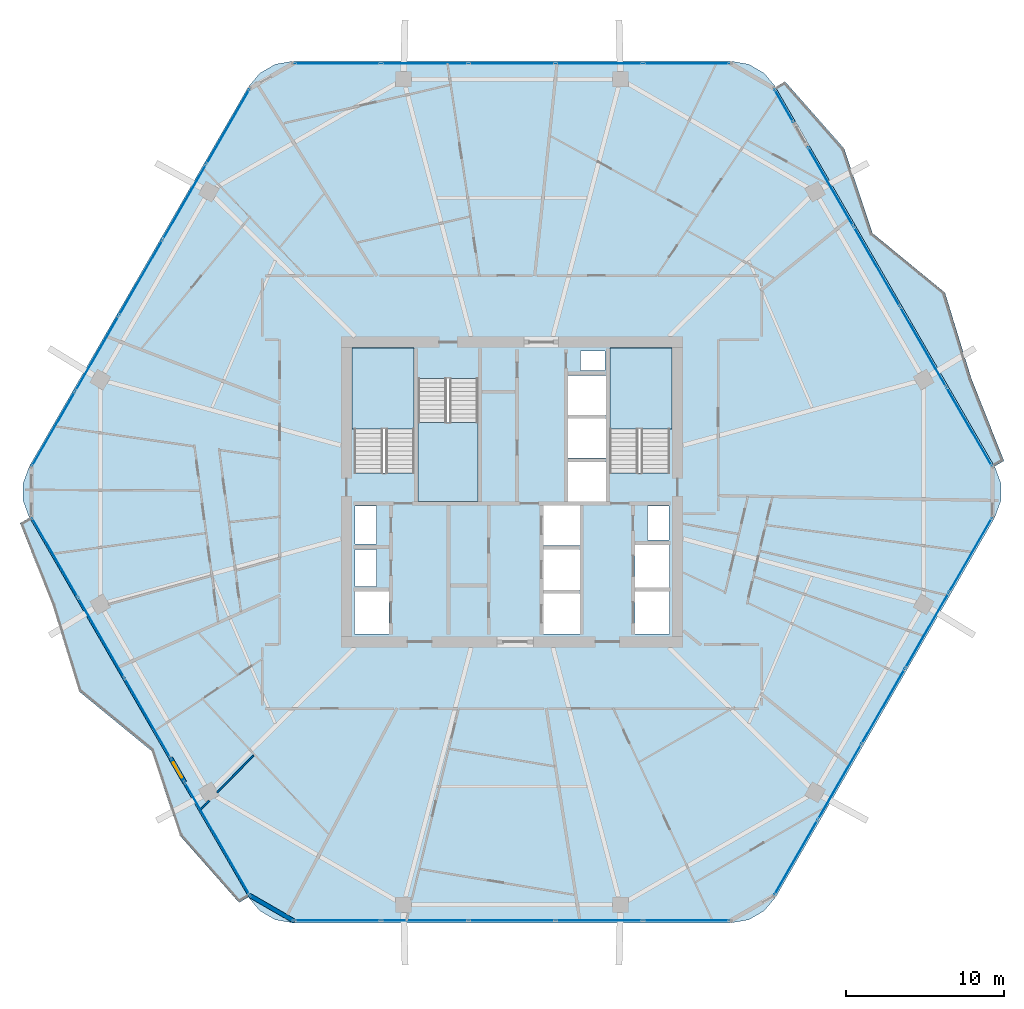
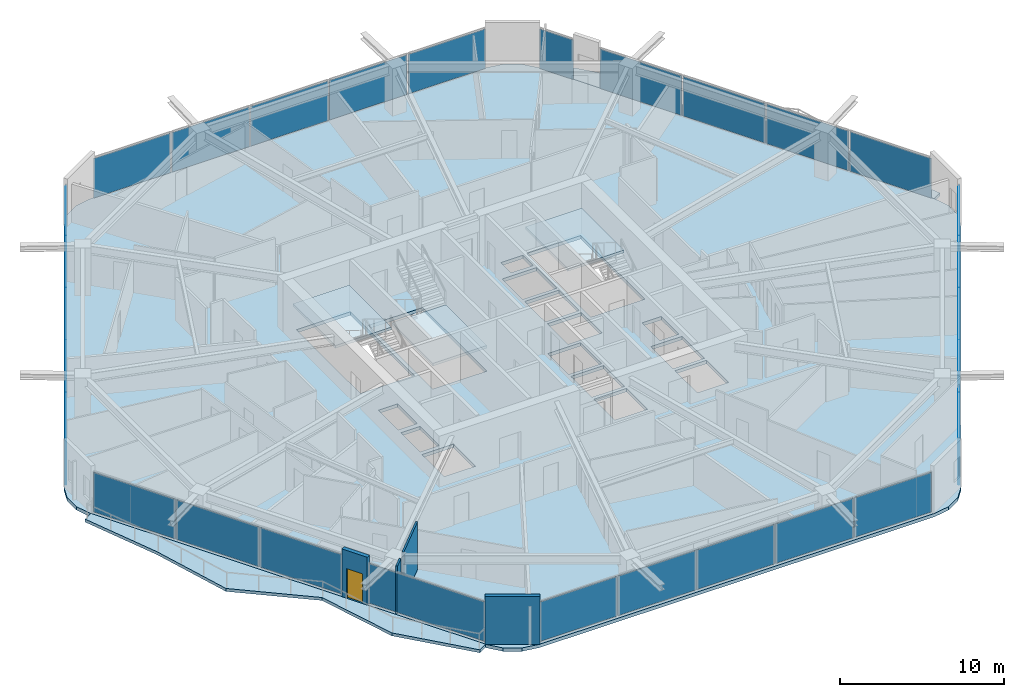
# One storey, part 16 of 25: 29 plates, 6 slabs, 4 walls, 1 door, 1 opening, 11 elements without a shape of their own.
"""IFC4 building model written with IfcOpenShell, lengths in metres."""

import ifcopenshell
import ifcopenshell.guid

model = None  # the IFC model being written
_history = None  # IfcOwnerHistory: only IFC2X3 demands one
_inside = {}  # id of a spatial element -> (the spatial element, [elements in it])
_under = {}  # id of a project, library or spatial element -> (it, [spatial elements below it])
_declared = {}  # id of a project -> (the project, [libraries it declares])
_typed = {}  # id of a type object -> (the type object, [elements of that type])
_made_of = {}  # id of a material, layer set ... -> (it, [elements and type objects made of it])


def new_model(schema):
    """Start an empty IFC model of exactly this schema.

    Asked for "IFC4X3", IfcOpenShell would pick the latest addendum, in which some entities
    have other attributes; the version numbers below select the first issue.
    IFC2X3 requires an IfcOwnerHistory on every rooted entity: one is made here for all.
    """
    global model, _history
    if schema == "IFC4X3":
        model = ifcopenshell.file(schema_version=(4, 3, 0, 0))
    else:
        model = ifcopenshell.file(schema=schema)
    _inside.clear()
    _under.clear()
    _declared.clear()
    _typed.clear()
    _made_of.clear()
    _history = None
    if model.schema == "IFC2X3":
        org = make("IfcOrganization", Name="unknown")
        user = make(
            "IfcPersonAndOrganization",
            ThePerson=make("IfcPerson", FamilyName="unknown"),
            TheOrganization=org,
        )
        app = make(
            "IfcApplication",
            ApplicationDeveloper=org,
            Version="unknown",
            ApplicationFullName="unknown",
            ApplicationIdentifier="unknown",
        )
        _history = make(
            "IfcOwnerHistory",
            OwningUser=user,
            OwningApplication=app,
            ChangeAction="ADDED",
            CreationDate=0,
        )
    return model


def make(cls, **values):
    """One entity of the class cls with the attributes given. An attribute that is None is left unset."""
    return model.create_entity(
        cls, **{name: value for name, value in values.items() if value is not None}
    )


def rooted(cls, **values):
    """An entity with a GlobalId (a new one), such as an element, a storey or a relation."""
    return make(cls, GlobalId=ifcopenshell.guid.new(), OwnerHistory=_history, **values)


def si_unit(unit_type, name, prefix=None):
    """IfcSIUnit, for example si_unit("LENGTHUNIT", "METRE", prefix="MILLI")."""
    return make("IfcSIUnit", UnitType=unit_type, Prefix=prefix, Name=name)


def assignment(units):
    """IfcUnitAssignment: the units of a project."""
    return None if units is None else make("IfcUnitAssignment", Units=units)


def point(xyz):
    """IfcCartesianPoint."""
    return None if xyz is None else make("IfcCartesianPoint", Coordinates=xyz)


def direction(xyz):
    """IfcDirection."""
    return None if xyz is None else make("IfcDirection", DirectionRatios=xyz)


def frame(location, z_axis=None, x_axis=None):
    """IfcAxis2Placement3D, a coordinate frame: its origin and axes. An axis left out is left unset."""
    return make(
        "IfcAxis2Placement3D",
        Location=point(location),
        Axis=direction(z_axis),
        RefDirection=direction(x_axis),
    )


def frame_2d(location, x_axis=None):
    """IfcAxis2Placement2D, a coordinate frame in the plane: its origin and x axis."""
    return make(
        "IfcAxis2Placement2D", Location=point(location), RefDirection=direction(x_axis)
    )


def origin():
    """The frame at (0, 0, 0) with its axes left unset."""
    return frame((0.0, 0.0, 0.0))


def origin_2d():
    """The frame at (0, 0) in the plane with its x axis left unset."""
    return frame_2d((0.0, 0.0))


def place(relative_to, where):
    """IfcLocalPlacement: puts the frame where relative to a parent placement (None: the world)."""
    return make(
        "IfcLocalPlacement", PlacementRelTo=relative_to, RelativePlacement=where
    )


def context(
    kind, dimensions, precision=None, world=None, true_north=None, identifier=None
):
    """IfcGeometricRepresentationContext, for example the 3D "Model" context."""
    return make(
        "IfcGeometricRepresentationContext",
        ContextIdentifier=identifier,
        ContextType=kind,
        CoordinateSpaceDimension=dimensions,
        Precision=precision,
        WorldCoordinateSystem=world,
        TrueNorth=true_north,
    )


def subcontext(parent, identifier, kind, view, scale=None):
    """IfcGeometricRepresentationSubContext, for example "Body" below "Model"."""
    return make(
        "IfcGeometricRepresentationSubContext",
        ContextIdentifier=identifier,
        ContextType=kind,
        ParentContext=parent,
        TargetScale=scale,
        TargetView=view,
    )


def project(units=None, contexts=None):
    """IfcProject with its units and contexts."""
    return rooted(
        "IfcProject",
        Name="project",
        RepresentationContexts=contexts,
        UnitsInContext=assignment(units),
    )


def spatial(cls, under=None, at=None, **own):
    """A site, building, storey or space (cls), placed at a placement, below another one or the project."""
    s = rooted(cls, ObjectPlacement=at, **own)
    if under is not None:
        _under.setdefault(under.id(), (under, []))[1].append(s)
    return s


def polyline(points):
    """IfcPolyline through the points."""
    return make("IfcPolyline", Points=[point(p) for p in points])


def profile(cls, at=None, kind="AREA", **sizes):
    """A parametric profile (cls). Its sizes go by their IFC names, for example OverallWidth=200.0."""
    return make(cls, ProfileType=kind, Position=at, **sizes)


def rectangle(**sizes):
    """IfcRectangleProfileDef."""
    return profile("IfcRectangleProfileDef", **sizes)


def outline(outer, holes=None, kind="AREA"):
    """IfcArbitraryClosedProfileDef: a profile drawn as a closed curve; with holes, ...WithVoids."""
    if holes is None:
        return make("IfcArbitraryClosedProfileDef", ProfileType=kind, OuterCurve=outer)
    return make(
        "IfcArbitraryProfileDefWithVoids",
        ProfileType=kind,
        OuterCurve=outer,
        InnerCurves=holes,
    )


def extrude(swept, where, along, depth):
    """IfcExtrudedAreaSolid: the profile swept, set in the frame where, extruded along a direction by depth."""
    return make(
        "IfcExtrudedAreaSolid",
        SweptArea=swept,
        Position=where,
        ExtrudedDirection=direction(along),
        Depth=depth,
    )


def shape(context_of_items, identifier, shape_type, items):
    """IfcShapeRepresentation: the items that make up one representation, for example the "Body"."""
    return make(
        "IfcShapeRepresentation",
        ContextOfItems=context_of_items,
        RepresentationIdentifier=identifier,
        RepresentationType=shape_type,
        Items=items,
    )


def material(Name=None, Category=None):
    """IfcMaterial."""
    return make("IfcMaterial", Name=Name, Category=Category)


def layer(
    of_material, thickness, ventilated=None, Name=None, Category=None, Priority=None
):
    """IfcMaterialLayer: one layer of a wall or slab, of a material (None: an air gap)."""
    return make(
        "IfcMaterialLayer",
        Material=of_material,
        LayerThickness=thickness,
        IsVentilated=ventilated,
        Name=Name,
        Category=Category,
        Priority=Priority,
    )


def layer_set(layers, Name=None):
    """IfcMaterialLayerSet."""
    return make("IfcMaterialLayerSet", MaterialLayers=layers, LayerSetName=Name)


def made_of(thing, what):
    """Note that an element or type object is made of a material, layer set ...; save() writes the relation."""
    if what is not None:
        _made_of.setdefault(what.id(), (what, []))[1].append(thing)
    return thing


def type_object(cls, material=None, **own):
    """A type object (cls), such as IfcWallType, which elements share."""
    return made_of(rooted(cls, **own), material)


def element(
    cls,
    number,
    at=None,
    inside=None,
    cuts=None,
    type_object=None,
    material=None,
    context=None,
    identifier="Body",
    shape_type=None,
    held_by="IfcProductDefinitionShape",
    body=None,
    shapes=None,
    **own,
):
    """One element of the class cls, such as IfcWall. Its Tag is "e" and its number.

    at: its placement. inside: the storey or other place that contains it. cuts: it is an
    opening in that element (IfcRelVoidsElement). A single representation is given by context,
    identifier, shape_type and body (its items); several are given by shapes. held_by: the class
    of the entity that holds the representations. save() writes the other relations.
    """
    e = rooted(cls, Tag="e%d" % number, ObjectPlacement=at, **own)
    if body is not None:
        shapes = [shape(context, identifier, shape_type, body)]
    if shapes is not None:
        e.Representation = make(held_by, Representations=shapes)
    if inside is not None:
        _inside.setdefault(inside.id(), (inside, []))[1].append(e)
    if cuts is not None:
        rooted(
            "IfcRelVoidsElement", RelatingBuildingElement=cuts, RelatedOpeningElement=e
        )
    if type_object is not None:
        _typed.setdefault(type_object.id(), (type_object, []))[1].append(e)
    return made_of(e, material)


def fill(opening, filler):
    """IfcRelFillsElement: the door or window that sits in an opening."""
    return rooted(
        "IfcRelFillsElement",
        RelatingOpeningElement=opening,
        RelatedBuildingElement=filler,
    )


def aggregate(whole, parts):
    """IfcRelAggregates: a whole, such as a stair, and the parts it consists of."""
    return rooted("IfcRelAggregates", RelatingObject=whole, RelatedObjects=parts)


def save(model, path):
    """Write the relations noted so far, then the file.

    IfcRelAggregates (storeys below a building ...), IfcRelContainedInSpatialStructure (elements
    in a storey), IfcRelDefinesByType, IfcRelAssociatesMaterial and IfcRelDeclares: one each for
    every whole, place, type object, material and project.
    """
    for whole, parts in _under.values():
        aggregate(whole, parts)
    for where, things in _inside.values():
        rooted(
            "IfcRelContainedInSpatialStructure",
            RelatedElements=things,
            RelatingStructure=where,
        )
    for kind, things in _typed.values():
        rooted("IfcRelDefinesByType", RelatedObjects=things, RelatingType=kind)
    for what, things in _made_of.values():
        rooted("IfcRelAssociatesMaterial", RelatedObjects=things, RelatingMaterial=what)
    for by, libraries in _declared.values():
        rooted("IfcRelDeclares", RelatingContext=by, RelatedDefinitions=libraries)
    model.write(path)


model = new_model("IFC4")

# Units and contexts
model_context = context("Model", 3, precision=1e-05, world=origin(), true_north=direction((0.0, 1.0)))
body_context = subcontext(model_context, "Body", "Model", "MODEL_VIEW")
ifc_project = project(units=[si_unit("LENGTHUNIT", "METRE"), si_unit("AREAUNIT", "SQUARE_METRE"), si_unit("VOLUMEUNIT", "CUBIC_METRE"), si_unit("PLANEANGLEUNIT", "RADIAN"), si_unit("MASSUNIT", "GRAM", prefix="KILO")], contexts=[model_context])

# Site, building, storey
site_placement = place(None, origin())
site = spatial("IfcSite", under=ifc_project, at=site_placement, CompositionType="ELEMENT")
building_placement = place(site_placement, origin())
building = spatial("IfcBuilding", under=site, at=building_placement, Name="Zuhravey Tower", CompositionType="ELEMENT")
storey_placement = place(building_placement, frame((0.0, 0.0, 180.800048828125)))
storey = spatial("IfcBuildingStorey", under=building, at=storey_placement, Name="L45", CompositionType="ELEMENT", Elevation=180.800048828125)

# Slabs
ifc_material_1 = material(Name="Concrete C50/60", Category="concrete")
ifc_layer_1 = layer(ifc_material_1, 0.25)
ifc_layer_set_1 = layer_set([ifc_layer_1], Name="Concrete C50/60")
slab_type_1 = type_object("IfcSlabType", Name="Residential Acoustic Slab 250", PredefinedType="FLOOR", material=ifc_layer_set_1)
slab_1_placement = place(storey_placement, frame((0.0, 0.0, -0.25)))
element("IfcSlab", 1, at=slab_1_placement, inside=storey, type_object=slab_type_1, Name="L45 Floor Slab FS25", PredefinedType="FLOOR", context=body_context, shape_type="SweptSolid", body=[
    extrude(outline(polyline([(66.61181640625, 30.375), (66.997802734375, 31.435546875), (66.997802734375, 32.564453125), (66.61181640625, 33.625), (52.713134765625, 57.697998046875), (51.98779296875, 58.562744140625), (51.01025390625, 59.127197265625), (49.898681640625, 59.322998046875), (22.101318359375, 59.322998046875), (20.98974609375, 59.127197265625), (20.01220703125, 58.562744140625), (19.286865234375, 57.697998046875), (5.38818359375, 33.625), (5.002197265625, 32.564453125), (5.002197265625, 31.435546875), (5.38818359375, 30.375), (19.286865234375, 6.302001953125), (20.01220703125, 5.437255859375), (20.98974609375, 4.872802734375), (22.101318359375, 4.677001953125), (49.898681640625, 4.677001953125), (51.01025390625, 4.872802734375), (51.98779296875, 5.437255859375), (52.713134765625, 6.302001953125), (66.61181640625, 30.375)]), holes=[polyline([(29.800048828125, 33.20068359375), (29.800048828125, 41.0), (26.0, 41.0), (26.0, 33.20068359375), (29.800048828125, 33.20068359375)]), polyline([(46.0, 33.20068359375), (46.0, 41.0), (42.199951171875, 41.0), (42.199951171875, 33.20068359375), (46.0, 33.20068359375)]), polyline([(30.050048828125, 39.199462890625), (30.050048828125, 31.39990234375), (33.85009765625, 31.39990234375), (33.85009765625, 39.199462890625), (30.050048828125, 39.199462890625)]), polyline([(38.0, 23.0), (40.300048828125, 23.0), (40.300048828125, 25.550048828125), (38.0, 25.550048828125), (38.0, 23.0)]), polyline([(38.0, 25.800048828125), (40.300048828125, 25.800048828125), (40.300048828125, 28.35009765625), (38.0, 28.35009765625), (38.0, 25.800048828125)]), polyline([(38.0, 28.60009765625), (40.300048828125, 28.60009765625), (40.300048828125, 31.14990234375), (38.0, 31.14990234375), (38.0, 28.60009765625)]), polyline([(39.550048828125, 31.39990234375), (41.949951171875, 31.39990234375), (41.949951171875, 33.89990234375), (39.550048828125, 33.89990234375), (39.550048828125, 31.39990234375)]), polyline([(39.550048828125, 34.14990234375), (41.949951171875, 34.14990234375), (41.949951171875, 36.64990234375), (39.550048828125, 36.64990234375), (39.550048828125, 34.14990234375)]), polyline([(39.550048828125, 36.89990234375), (41.949951171875, 36.89990234375), (41.949951171875, 39.39990234375), (39.550048828125, 39.39990234375), (39.550048828125, 36.89990234375)]), polyline([(26.0, 23.0), (28.199951171875, 23.0), (28.199951171875, 25.699951171875), (26.0, 25.699951171875), (26.0, 23.0)]), polyline([(43.800048828125, 23.0), (46.0, 23.0), (46.0, 25.699951171875), (43.800048828125, 25.699951171875), (43.800048828125, 23.0)]), polyline([(43.800048828125, 25.949951171875), (46.0, 25.949951171875), (46.0, 28.64990234375), (43.800048828125, 28.64990234375), (43.800048828125, 25.949951171875)]), polyline([(26.050048828125, 26.0), (27.39990234375, 26.0), (27.39990234375, 28.35009765625), (26.050048828125, 28.35009765625), (26.050048828125, 26.0)]), polyline([(26.050048828125, 28.699951171875), (27.39990234375, 28.699951171875), (27.39990234375, 31.10009765625), (26.050048828125, 31.10009765625), (26.050048828125, 28.699951171875)]), polyline([(44.60009765625, 28.949951171875), (45.949951171875, 28.949951171875), (45.949951171875, 31.10009765625), (44.60009765625, 31.10009765625), (44.60009765625, 28.949951171875)]), polyline([(40.35009765625, 39.699951171875), (41.89990234375, 39.699951171875), (41.89990234375, 40.949951171875), (40.35009765625, 40.949951171875), (40.35009765625, 39.699951171875)])]), origin(), (0.0, 0.0, 1.0), 0.25),
])
ifc_material_2 = material(Name="Concrete C40/50", Category="concrete")
ifc_layer_2 = layer(ifc_material_2, 0.219970703125)
ifc_layer_set_2 = layer_set([ifc_layer_2], Name="Concrete C40/50")
slab_type_2 = type_object("IfcSlabType", Name="Sinusoidal Residential Wave Balcony 220", PredefinedType="FLOOR", material=ifc_layer_set_2)
slab_2_placement = place(storey_placement, frame((0.0, 0.0, -0.219970703125)))
element("IfcSlab", 2, at=slab_2_placement, inside=storey, type_object=slab_type_2, Name="L45 Face 4 Wave Balcony WB22", PredefinedType="FLOOR", context=body_context, shape_type="SweptSolid", body=[
    extrude(outline(polyline([(5.405517578125, 30.375), (19.29541015625, 6.31689453125), (18.689208984375, 5.966796875), (14.938232421875, 10.216796875), (13.13525390625, 15.59130859375), (8.5458984375, 19.357177734375), (6.87109375, 24.8056640625), (4.79931640625, 30.02490234375), (5.405517578125, 30.375)])), origin(), (0.0, 0.0, 1.0), 0.219970703125),
])
slab_3_placement = place(storey_placement, frame((0.0, 0.0, -0.219970703125)))
element("IfcSlab", 3, at=slab_3_placement, inside=storey, type_object=slab_type_2, Name="L45 Face 1 Wave Balcony WB22", PredefinedType="FLOOR", context=body_context, shape_type="SweptSolid", body=[
    extrude(outline(polyline([(66.594482421875, 33.625), (52.70458984375, 57.68310546875), (53.310791015625, 58.033203125), (57.061767578125, 53.783203125), (58.86474609375, 48.40869140625), (63.4541015625, 44.642822265625), (65.12890625, 39.1943359375), (67.20068359375, 33.97509765625), (66.594482421875, 33.625)])), origin(), (0.0, 0.0, 1.0), 0.219970703125),
])

# Stair, slab
stair_type = type_object("IfcStairType", Name="Housing Storey Stair Assembly 3800", PredefinedType="HALF_TURN_STAIR", material=ifc_material_2)
stair_1_placement = place(storey_placement, origin())
stair_1 = element("IfcStair", 4, at=stair_1_placement, inside=storey, type_object=stair_type, Name="L45 Core Exit Stair ST1", PredefinedType="HALF_TURN_STAIR")
ifc_layer_3 = layer(ifc_material_2, 0.199951171875)
ifc_layer_set_3 = layer_set([ifc_layer_3], Name="Concrete C40/50")
slab_type_3 = type_object("IfcSlabType", Name="Stair Landing Slab 200", PredefinedType="LANDING", material=ifc_layer_set_3)
slab_4_placement = place(storey_placement, frame((0.0, 0.0, 1.699951171875)))
slab_4 = element("IfcSlab", 5, at=slab_4_placement, type_object=slab_type_3, Name="ST1 landing 1", PredefinedType="LANDING", context=body_context, shape_type="SweptSolid", body=[
    extrude(outline(polyline([(29.800048828125, 36.0), (29.800048828125, 41.14794921875), (25.85205078125, 41.14794921875), (25.85205078125, 36.0), (29.800048828125, 36.0)])), origin(), (0.0, 0.0, 1.0), 0.199951171875),
])
aggregate(stair_1, [slab_4])

stair_2_placement = place(storey_placement, origin())
stair_2 = element("IfcStair", 6, at=stair_2_placement, inside=storey, type_object=stair_type, Name="L45 Core Exit Stair ST2", PredefinedType="HALF_TURN_STAIR")
slab_5_placement = place(storey_placement, frame((0.0, 0.0, 1.699951171875)))
slab_5 = element("IfcSlab", 7, at=slab_5_placement, type_object=slab_type_3, Name="ST2 landing 1", PredefinedType="LANDING", context=body_context, shape_type="SweptSolid", body=[
    extrude(outline(polyline([(46.14794921875, 36.0), (46.14794921875, 41.14794921875), (42.199951171875, 41.14794921875), (42.199951171875, 36.0), (46.14794921875, 36.0)])), origin(), (0.0, 0.0, 1.0), 0.199951171875),
])
aggregate(stair_2, [slab_5])

stair_3_placement = place(storey_placement, origin())
stair_3 = element("IfcStair", 8, at=stair_3_placement, inside=storey, type_object=stair_type, Name="L45 Core Exit Stair ST3", PredefinedType="HALF_TURN_STAIR")
slab_6_placement = place(storey_placement, frame((0.0, 0.0, 1.699951171875)))
slab_6 = element("IfcSlab", 9, at=slab_6_placement, type_object=slab_type_3, Name="ST3 landing 1", PredefinedType="LANDING", context=body_context, shape_type="SweptSolid", body=[
    extrude(outline(polyline([(30.050048828125, 36.39990234375), (30.050048828125, 31.39990234375), (33.85009765625, 31.39990234375), (33.85009765625, 36.39990234375), (30.050048828125, 36.39990234375)])), origin(), (0.0, 0.0, 1.0), 0.199951171875),
])
aggregate(stair_3, [slab_6])

# Curtain wall, plates
ifc_material_3 = material(Name="Thermally broken anodised aluminium", Category="aluminium")
curtain_wall_type = type_object("IfcCurtainWallType", Name="Zone 1-2 Residential Curtain Wall CW3", PredefinedType="NOTDEFINED", material=ifc_material_3)
curtain_wall_1_placement = place(storey_placement, origin())
curtain_wall_1 = element("IfcCurtainWall", 10, at=curtain_wall_1_placement, inside=storey, type_object=curtain_wall_type, Name="L45 CW3 CW-L45-F6-1", PredefinedType="NOTDEFINED")
ifc_material_4 = material(Name="Triple low-E insulated vision glass", Category="glass")
ifc_layer_4 = layer(ifc_material_4, 0.0419921875)
ifc_layer_set_4 = layer_set([ifc_layer_4], Name="Triple low-E insulated vision glass")
plate_type = type_object("IfcPlateType", Name="Triple Low-E Vision Panel", PredefinedType="CURTAIN_PANEL", material=ifc_layer_set_4)
plate_1_placement = place(storey_placement, frame((65.074462890625, 27.9921875, 0.090087890625), z_axis=(0.0, 0.0, 1.0), x_axis=(-0.500000459979, -0.866025138215, 0.0)))
plate_1 = element("IfcPlate", 11, at=plate_1_placement, type_object=plate_type, Name="CW3 panel 1.1", PredefinedType="CURTAIN_PANEL", context=body_context, shape_type="SweptSolid", body=[
    extrude(rectangle(XDim=5.409423828125, YDim=0.0419921875, at=origin_2d()), origin(), (0.0, 0.0, 1.0), 2.94189453125),
])
plate_2_placement = place(storey_placement, frame((62.3134765625, 23.2099609375, 0.090087890625), z_axis=(0.0, 0.0, 1.0), x_axis=(-0.500000459979, -0.866025138215, 0.0)))
plate_2 = element("IfcPlate", 12, at=plate_2_placement, type_object=plate_type, Name="CW3 panel 2.1", PredefinedType="CURTAIN_PANEL", context=body_context, shape_type="SweptSolid", body=[
    extrude(rectangle(XDim=5.454345703125, YDim=0.0419921875, at=origin_2d()), origin(), (0.0, 0.0, 1.0), 2.94189453125),
])
plate_3_placement = place(storey_placement, frame((59.541259765625, 18.408447265625, 0.090087890625), z_axis=(0.0, 0.0, 1.0), x_axis=(-0.500000459979, -0.866025138215, 0.0)))
plate_3 = element("IfcPlate", 13, at=plate_3_placement, type_object=plate_type, Name="CW3 panel 3.1", PredefinedType="CURTAIN_PANEL", context=body_context, shape_type="SweptSolid", body=[
    extrude(rectangle(XDim=5.454345703125, YDim=0.0419921875, at=origin_2d()), origin(), (0.0, 0.0, 1.0), 2.94189453125),
])
plate_4_placement = place(storey_placement, frame((56.76904296875, 13.60693359375, 0.090087890625), z_axis=(0.0, 0.0, 1.0), x_axis=(-0.500000459979, -0.866025138215, 0.0)))
plate_4 = element("IfcPlate", 14, at=plate_4_placement, type_object=plate_type, Name="CW3 panel 4.1", PredefinedType="CURTAIN_PANEL", context=body_context, shape_type="SweptSolid", body=[
    extrude(rectangle(XDim=5.454345703125, YDim=0.0419921875, at=origin_2d()), origin(), (0.0, 0.0, 1.0), 2.94189453125),
])
plate_5_placement = place(storey_placement, frame((54.008056640625, 8.82470703125, 0.090087890625), z_axis=(0.0, 0.0, 1.0), x_axis=(-0.500000459979, -0.866025138215, 0.0)))
plate_5 = element("IfcPlate", 15, at=plate_5_placement, type_object=plate_type, Name="CW3 panel 5.1", PredefinedType="CURTAIN_PANEL", context=body_context, shape_type="SweptSolid", body=[
    extrude(rectangle(XDim=5.409423828125, YDim=0.0419921875, at=origin_2d()), origin(), (0.0, 0.0, 1.0), 2.94189453125),
])
aggregate(curtain_wall_1, [plate_1, plate_2, plate_3, plate_4, plate_5])

curtain_wall_2_placement = place(storey_placement, origin())
curtain_wall_2 = element("IfcCurtainWall", 16, at=curtain_wall_2_placement, inside=storey, type_object=curtain_wall_type, Name="L45 CW3 CW-L45-F5-1", PredefinedType="NOTDEFINED")
plate_6_placement = place(storey_placement, frame((47.06640625, 4.81689453125, 0.090087890625), z_axis=(0.0, 0.0, 1.0), x_axis=(-1.0, 0.0, 0.0)))
plate_6 = element("IfcPlate", 17, at=plate_6_placement, type_object=plate_type, Name="CW3 panel 1.1", PredefinedType="CURTAIN_PANEL", context=body_context, shape_type="SweptSolid", body=[
    extrude(rectangle(XDim=5.409423828125, YDim=0.0419921875, at=origin_2d()), origin(), (0.0, 0.0, 1.0), 2.94189453125),
])
plate_7_placement = place(storey_placement, frame((41.54443359375, 4.81689453125, 0.090087890625), z_axis=(0.0, 0.0, 1.0), x_axis=(-1.0, 0.0, 0.0)))
plate_7 = element("IfcPlate", 18, at=plate_7_placement, type_object=plate_type, Name="CW3 panel 2.1", PredefinedType="CURTAIN_PANEL", context=body_context, shape_type="SweptSolid", body=[
    extrude(rectangle(XDim=5.454345703125, YDim=0.0419921875, at=origin_2d()), origin(), (0.0, 0.0, 1.0), 2.94189453125),
])
plate_8_placement = place(storey_placement, frame((36.0, 4.81689453125, 0.090087890625), z_axis=(0.0, 0.0, 1.0), x_axis=(-1.0, 0.0, 0.0)))
plate_8 = element("IfcPlate", 19, at=plate_8_placement, type_object=plate_type, Name="CW3 panel 3.1", PredefinedType="CURTAIN_PANEL", context=body_context, shape_type="SweptSolid", body=[
    extrude(rectangle(XDim=5.454345703125, YDim=0.0419921875, at=origin_2d()), origin(), (0.0, 0.0, 1.0), 2.94189453125),
])
plate_9_placement = place(storey_placement, frame((30.45556640625, 4.81689453125, 0.090087890625), z_axis=(0.0, 0.0, 1.0), x_axis=(-1.0, 0.0, 0.0)))
plate_9 = element("IfcPlate", 20, at=plate_9_placement, type_object=plate_type, Name="CW3 panel 4.1", PredefinedType="CURTAIN_PANEL", context=body_context, shape_type="SweptSolid", body=[
    extrude(rectangle(XDim=5.454345703125, YDim=0.0419921875, at=origin_2d()), origin(), (0.0, 0.0, 1.0), 2.94189453125),
])
plate_10_placement = place(storey_placement, frame((24.93359375, 4.81689453125, 0.090087890625), z_axis=(0.0, 0.0, 1.0), x_axis=(-1.0, 0.0, 0.0)))
plate_10 = element("IfcPlate", 21, at=plate_10_placement, type_object=plate_type, Name="CW3 panel 5.1", PredefinedType="CURTAIN_PANEL", context=body_context, shape_type="SweptSolid", body=[
    extrude(rectangle(XDim=5.409423828125, YDim=0.0419921875, at=origin_2d()), origin(), (0.0, 0.0, 1.0), 2.94189453125),
])
aggregate(curtain_wall_2, [plate_6, plate_7, plate_8, plate_9, plate_10])

# Curtain wall, plate
curtain_wall_3_placement = place(storey_placement, origin())
curtain_wall_3 = element("IfcCurtainWall", 22, at=curtain_wall_3_placement, inside=storey, type_object=curtain_wall_type, Name="L45 CW3 CW-L45-F4-1", PredefinedType="NOTDEFINED")
plate_11_placement = place(storey_placement, frame((17.30224609375, 10.019287109375, 0.090087890625), z_axis=(0.0, 0.0, 1.0), x_axis=(-0.499997576475, 0.866026803003, 0.0)))
plate_11 = element("IfcPlate", 23, at=plate_11_placement, type_object=plate_type, Name="CW3 panel 1.1", PredefinedType="CURTAIN_PANEL", context=body_context, shape_type="SweptSolid", body=[
    extrude(rectangle(XDim=8.168212890625, YDim=0.0419921875, at=origin_2d()), origin(), (0.0, 0.0, 1.0), 2.94189453125),
])
aggregate(curtain_wall_3, [plate_11])

# Curtain wall, plates
curtain_wall_4_placement = place(storey_placement, origin())
curtain_wall_4 = element("IfcCurtainWall", 24, at=curtain_wall_4_placement, inside=storey, type_object=curtain_wall_type, Name="L45 CW3 CW-L45-F4-2", PredefinedType="NOTDEFINED")
plate_12_placement = place(storey_placement, frame((12.881103515625, 17.677001953125, 0.090087890625), z_axis=(0.0, 0.0, 1.0), x_axis=(-0.500000808168, 0.866024937188, 0.0)))
plate_12 = element("IfcPlate", 25, at=plate_12_placement, type_object=plate_type, Name="CW3 panel 1.1", PredefinedType="CURTAIN_PANEL", context=body_context, shape_type="SweptSolid", body=[
    extrude(rectangle(XDim=5.75634765625, YDim=0.0419921875, at=origin_2d()), origin(), (0.0, 0.0, 1.0), 2.94189453125),
])
plate_13_placement = place(storey_placement, frame((9.94677734375, 22.759521484375, 0.090087890625), z_axis=(0.0, 0.0, 1.0), x_axis=(-0.500000808168, 0.866024937188, 0.0)))
plate_13 = element("IfcPlate", 26, at=plate_13_placement, type_object=plate_type, Name="CW3 panel 2.1", PredefinedType="CURTAIN_PANEL", context=body_context, shape_type="SweptSolid", body=[
    extrude(rectangle(XDim=5.80126953125, YDim=0.0419921875, at=origin_2d()), origin(), (0.0, 0.0, 1.0), 2.94189453125),
])
plate_14_placement = place(storey_placement, frame((7.01220703125, 27.842041015625, 0.090087890625), z_axis=(0.0, 0.0, 1.0), x_axis=(-0.500000808168, 0.866024937188, 0.0)))
plate_14 = element("IfcPlate", 27, at=plate_14_placement, type_object=plate_type, Name="CW3 panel 3.1", PredefinedType="CURTAIN_PANEL", context=body_context, shape_type="SweptSolid", body=[
    extrude(rectangle(XDim=5.75634765625, YDim=0.0419921875, at=origin_2d()), origin(), (0.0, 0.0, 1.0), 2.94189453125),
])
aggregate(curtain_wall_4, [plate_12, plate_13, plate_14])

curtain_wall_5_placement = place(storey_placement, origin())
curtain_wall_5 = element("IfcCurtainWall", 28, at=curtain_wall_5_placement, inside=storey, type_object=curtain_wall_type, Name="L45 CW3 CW-L45-F3-1", PredefinedType="NOTDEFINED")
plate_15_placement = place(storey_placement, frame((6.925537109375, 36.0078125, 0.090087890625), z_axis=(0.0, 0.0, 1.0), x_axis=(0.500000459979, 0.866025138215, 0.0)))
plate_15 = element("IfcPlate", 29, at=plate_15_placement, type_object=plate_type, Name="CW3 panel 1.1", PredefinedType="CURTAIN_PANEL", context=body_context, shape_type="SweptSolid", body=[
    extrude(rectangle(XDim=5.409423828125, YDim=0.0419921875, at=origin_2d()), origin(), (0.0, 0.0, 1.0), 2.94189453125),
])
plate_16_placement = place(storey_placement, frame((9.6865234375, 40.7900390625, 0.090087890625), z_axis=(0.0, 0.0, 1.0), x_axis=(0.500000459979, 0.866025138215, 0.0)))
plate_16 = element("IfcPlate", 30, at=plate_16_placement, type_object=plate_type, Name="CW3 panel 2.1", PredefinedType="CURTAIN_PANEL", context=body_context, shape_type="SweptSolid", body=[
    extrude(rectangle(XDim=5.454345703125, YDim=0.0419921875, at=origin_2d()), origin(), (0.0, 0.0, 1.0), 2.94189453125),
])
plate_17_placement = place(storey_placement, frame((12.458740234375, 45.591552734375, 0.090087890625), z_axis=(0.0, 0.0, 1.0), x_axis=(0.500000459979, 0.866025138215, 0.0)))
plate_17 = element("IfcPlate", 31, at=plate_17_placement, type_object=plate_type, Name="CW3 panel 3.1", PredefinedType="CURTAIN_PANEL", context=body_context, shape_type="SweptSolid", body=[
    extrude(rectangle(XDim=5.454345703125, YDim=0.0419921875, at=origin_2d()), origin(), (0.0, 0.0, 1.0), 2.94189453125),
])
plate_18_placement = place(storey_placement, frame((15.23095703125, 50.39306640625, 0.090087890625), z_axis=(0.0, 0.0, 1.0), x_axis=(0.500000459979, 0.866025138215, 0.0)))
plate_18 = element("IfcPlate", 32, at=plate_18_placement, type_object=plate_type, Name="CW3 panel 4.1", PredefinedType="CURTAIN_PANEL", context=body_context, shape_type="SweptSolid", body=[
    extrude(rectangle(XDim=5.454345703125, YDim=0.0419921875, at=origin_2d()), origin(), (0.0, 0.0, 1.0), 2.94189453125),
])
plate_19_placement = place(storey_placement, frame((17.991943359375, 55.17529296875, 0.090087890625), z_axis=(0.0, 0.0, 1.0), x_axis=(0.500000459979, 0.866025138215, 0.0)))
plate_19 = element("IfcPlate", 33, at=plate_19_placement, type_object=plate_type, Name="CW3 panel 5.1", PredefinedType="CURTAIN_PANEL", context=body_context, shape_type="SweptSolid", body=[
    extrude(rectangle(XDim=5.409423828125, YDim=0.0419921875, at=origin_2d()), origin(), (0.0, 0.0, 1.0), 2.94189453125),
])
aggregate(curtain_wall_5, [plate_15, plate_16, plate_17, plate_18, plate_19])

curtain_wall_6_placement = place(storey_placement, origin())
curtain_wall_6 = element("IfcCurtainWall", 34, at=curtain_wall_6_placement, inside=storey, type_object=curtain_wall_type, Name="L45 CW3 CW-L45-F2-1", PredefinedType="NOTDEFINED")
plate_20_placement = place(storey_placement, frame((24.93359375, 59.18310546875, 0.090087890625), z_axis=(0.0, 0.0, 1.0), x_axis=(1.0, 0.0, 0.0)))
plate_20 = element("IfcPlate", 35, at=plate_20_placement, type_object=plate_type, Name="CW3 panel 1.1", PredefinedType="CURTAIN_PANEL", context=body_context, shape_type="SweptSolid", body=[
    extrude(rectangle(XDim=5.409423828125, YDim=0.0419921875, at=origin_2d()), origin(), (0.0, 0.0, 1.0), 2.94189453125),
])
plate_21_placement = place(storey_placement, frame((30.45556640625, 59.18310546875, 0.090087890625), z_axis=(0.0, 0.0, 1.0), x_axis=(1.0, 0.0, 0.0)))
plate_21 = element("IfcPlate", 36, at=plate_21_placement, type_object=plate_type, Name="CW3 panel 2.1", PredefinedType="CURTAIN_PANEL", context=body_context, shape_type="SweptSolid", body=[
    extrude(rectangle(XDim=5.454345703125, YDim=0.0419921875, at=origin_2d()), origin(), (0.0, 0.0, 1.0), 2.94189453125),
])
plate_22_placement = place(storey_placement, frame((36.0, 59.18310546875, 0.090087890625), z_axis=(0.0, 0.0, 1.0), x_axis=(1.0, 0.0, 0.0)))
plate_22 = element("IfcPlate", 37, at=plate_22_placement, type_object=plate_type, Name="CW3 panel 3.1", PredefinedType="CURTAIN_PANEL", context=body_context, shape_type="SweptSolid", body=[
    extrude(rectangle(XDim=5.454345703125, YDim=0.0419921875, at=origin_2d()), origin(), (0.0, 0.0, 1.0), 2.94189453125),
])
plate_23_placement = place(storey_placement, frame((41.54443359375, 59.18310546875, 0.090087890625), z_axis=(0.0, 0.0, 1.0), x_axis=(1.0, 0.0, 0.0)))
plate_23 = element("IfcPlate", 38, at=plate_23_placement, type_object=plate_type, Name="CW3 panel 4.1", PredefinedType="CURTAIN_PANEL", context=body_context, shape_type="SweptSolid", body=[
    extrude(rectangle(XDim=5.454345703125, YDim=0.0419921875, at=origin_2d()), origin(), (0.0, 0.0, 1.0), 2.94189453125),
])
plate_24_placement = place(storey_placement, frame((47.06640625, 59.18310546875, 0.090087890625), z_axis=(0.0, 0.0, 1.0), x_axis=(1.0, 0.0, 0.0)))
plate_24 = element("IfcPlate", 39, at=plate_24_placement, type_object=plate_type, Name="CW3 panel 5.1", PredefinedType="CURTAIN_PANEL", context=body_context, shape_type="SweptSolid", body=[
    extrude(rectangle(XDim=5.409423828125, YDim=0.0419921875, at=origin_2d()), origin(), (0.0, 0.0, 1.0), 2.94189453125),
])
aggregate(curtain_wall_6, [plate_20, plate_21, plate_22, plate_23, plate_24])

# Curtain wall, plate
curtain_wall_7_placement = place(storey_placement, origin())
curtain_wall_7 = element("IfcCurtainWall", 40, at=curtain_wall_7_placement, inside=storey, type_object=curtain_wall_type, Name="L45 CW3 CW-L45-F1-1", PredefinedType="NOTDEFINED")
plate_25_placement = place(storey_placement, frame((53.246337890625, 56.49462890625, 0.090087890625), z_axis=(0.0, 0.0, 1.0), x_axis=(0.500005006002, -0.866022513548, 0.0)))
plate_25 = element("IfcPlate", 41, at=plate_25_placement, type_object=plate_type, Name="CW3 panel 1.1", PredefinedType="CURTAIN_PANEL", context=body_context, shape_type="SweptSolid", body=[
    extrude(rectangle(XDim=2.36279296875, YDim=0.0419921875, at=origin_2d()), origin(), (0.0, 0.0, 1.0), 2.94189453125),
])
aggregate(curtain_wall_7, [plate_25])

# Curtain wall, plates
curtain_wall_8_placement = place(storey_placement, origin())
curtain_wall_8 = element("IfcCurtainWall", 42, at=curtain_wall_8_placement, inside=storey, type_object=curtain_wall_type, Name="L45 CW3 CW-L45-F1-2", PredefinedType="NOTDEFINED")
plate_26_placement = place(storey_placement, frame((56.210693359375, 51.360107421875, 0.090087890625), z_axis=(0.0, 0.0, 1.0), x_axis=(0.500001048738, -0.866024798294, 0.0)))
plate_26 = element("IfcPlate", 43, at=plate_26_placement, type_object=plate_type, Name="CW3 panel 1.1", PredefinedType="CURTAIN_PANEL", context=body_context, shape_type="SweptSolid", body=[
    extrude(rectangle(XDim=5.73486328125, YDim=0.0419921875, at=origin_2d()), origin(), (0.0, 0.0, 1.0), 2.94189453125),
])
plate_27_placement = place(storey_placement, frame((59.134521484375, 46.296142578125, 0.090087890625), z_axis=(0.0, 0.0, 1.0), x_axis=(0.500001048738, -0.866024798294, 0.0)))
plate_27 = element("IfcPlate", 44, at=plate_27_placement, type_object=plate_type, Name="CW3 panel 2.1", PredefinedType="CURTAIN_PANEL", context=body_context, shape_type="SweptSolid", body=[
    extrude(rectangle(XDim=5.77978515625, YDim=0.0419921875, at=origin_2d()), origin(), (0.0, 0.0, 1.0), 2.94189453125),
])
plate_28_placement = place(storey_placement, frame((62.0693359375, 41.212646484375, 0.090087890625), z_axis=(0.0, 0.0, 1.0), x_axis=(0.500001048738, -0.866024798294, 0.0)))
plate_28 = element("IfcPlate", 45, at=plate_28_placement, type_object=plate_type, Name="CW3 panel 3.1", PredefinedType="CURTAIN_PANEL", context=body_context, shape_type="SweptSolid", body=[
    extrude(rectangle(XDim=5.77978515625, YDim=0.0419921875, at=origin_2d()), origin(), (0.0, 0.0, 1.0), 2.94189453125),
])
plate_29_placement = place(storey_placement, frame((64.9931640625, 36.148681640625, 0.090087890625), z_axis=(0.0, 0.0, 1.0), x_axis=(0.500001048738, -0.866024798294, 0.0)))
plate_29 = element("IfcPlate", 46, at=plate_29_placement, type_object=plate_type, Name="CW3 panel 4.1", PredefinedType="CURTAIN_PANEL", context=body_context, shape_type="SweptSolid", body=[
    extrude(rectangle(XDim=5.73486328125, YDim=0.0419921875, at=origin_2d()), origin(), (0.0, 0.0, 1.0), 2.94189453125),
])
aggregate(curtain_wall_8, [plate_26, plate_27, plate_28, plate_29])

# Wall
ifc_material_5 = material(Name="Precast concrete C40/50", Category="concrete")
ifc_layer_5 = layer(ifc_material_5, 0.280029296875)
ifc_layer_set_5 = layer_set([ifc_layer_5], Name="Precast concrete C40/50")
wall_type_1 = type_object("IfcWallType", Name="Crown Architectural Wall 280", PredefinedType="SOLIDWALL", material=ifc_layer_set_5)
wall_1_placement = place(storey_placement, frame((22.22119140625, 4.769287109375, 0.0), z_axis=(0.0, 0.0, 1.0), x_axis=(-0.866020068361, 0.500009241111, 0.0)))
element("IfcWall", 47, at=wall_1_placement, inside=storey, type_object=wall_type_1, Name="L45 Rounded Corner Closure Wall EW28-04", PredefinedType="SOLIDWALL", context=body_context, shape_type="SweptSolid", body=[
    extrude(rectangle(XDim=3.365234375, YDim=0.280029296875, at=frame_2d((1.6826171875, 0.0))), origin(), (0.0, 0.0, 1.0), 3.550048828125),
])

# Wall, opening, door
wall_2_placement = place(storey_placement, frame((15.23779296875, 13.59521484375, 0.0), z_axis=(0.0, 0.0, 1.0), x_axis=(-0.499982180423, 0.866035691677, 0.0)))
wall_2 = element("IfcWall", 48, at=wall_2_placement, inside=storey, type_object=wall_type_1, Name="L45 Face 4 Facade Pier EW28-1", PredefinedType="SOLIDWALL", context=body_context, shape_type="SweptSolid", body=[
    extrude(rectangle(XDim=1.7900390625, YDim=0.280029296875, at=frame_2d((0.89501953125, 0.0))), origin(), (0.0, 0.0, 1.0), 3.550048828125),
])
opening_placement = place(wall_2_placement, frame((0.344970703125, 0.0, 0.0)))
opening = element("IfcOpeningElement", 49, at=opening_placement, cuts=wall_2, Name="Opening BLD1", PredefinedType="OPENING", context=body_context, shape_type="SweptSolid", body=[
    extrude(rectangle(XDim=1.10009765625, YDim=2.199951171875, at=frame_2d((0.550048828125, 1.10009765625))), frame((0.0, 0.152099609375, 0.0), z_axis=(0.0, -1.0, 0.0), x_axis=(1.0, 0.0, 0.0)), (0.0, 0.0, 1.0), 0.303955078125),
])
ifc_material_6 = material(Name="Thermally broken aluminium and low-E glass", Category="aluminium")
door_type = type_object("IfcDoorType", Name="Balcony & Sky-Tray Glazed Door 1100x2200", OperationType="NOTDEFINED", PredefinedType="DOOR", material=ifc_material_6)
door_placement = place(opening_placement, frame((1.10009765625, 0.0, 0.0), z_axis=(0.0, 0.0, 1.0), x_axis=(-1.0, 0.0, 0.0)))
door = element("IfcDoor", 50, at=door_placement, inside=storey, type_object=door_type, Name="L45 Face 4 Wave Balcony Door", OperationType="SINGLE_SWING_LEFT", OverallHeight=2.199951171875, OverallWidth=1.10009765625, PredefinedType="DOOR", context=body_context, shape_type="SweptSolid", body=[
    extrude(rectangle(XDim=1.10009765625, YDim=2.199951171875, at=frame_2d((0.550048828125, 1.10009765625))), frame((0.0, 0.02490234375, 0.0), z_axis=(0.0, -1.0, 0.0), x_axis=(1.0, 0.0, 0.0)), (0.0, 0.0, 1.0), 0.050048828125),
])
fill(opening, door)

# Walls
ifc_material_7 = material(Name="Gypsum metal-stud partition")
ifc_layer_6 = layer(ifc_material_7, 0.1201171875)
ifc_layer_set_6 = layer_set([ifc_layer_6], Name="Gypsum metal-stud partition")
wall_type_2 = type_object("IfcWallType", Name="Unit Internal Partition 120", PredefinedType="PARTITIONING", material=ifc_layer_set_6)
wall_3_placement = place(storey_placement, frame((19.6162109375, 15.3037109375, 0.0), z_axis=(0.0, 0.0, 1.0), x_axis=(-0.700410055049, -0.713740677548, 0.0)))
element("IfcWall", 51, at=wall_3_placement, inside=storey, type_object=wall_type_2, Name="L45 IW12 Partition 082", PredefinedType="PARTITIONING", context=body_context, shape_type="SweptSolid", body=[
    extrude(rectangle(XDim=3.31494140625, YDim=0.1201171875, at=frame_2d((1.657470703125, 0.0))), origin(), (0.0, 0.0, 1.0), 3.550048828125),
])
wall_4_placement = place(storey_placement, frame((16.7998046875, 12.433349609375, 0.0), z_axis=(0.0, 0.0, 1.0), x_axis=(-0.700476016825, -0.713675941765, 0.0)))
element("IfcWall", 52, at=wall_4_placement, inside=storey, type_object=wall_type_2, Name="L45 IW12 Partition 083", PredefinedType="PARTITIONING", context=body_context, shape_type="SweptSolid", body=[
    extrude(rectangle(XDim=0.832275390625, YDim=0.1201171875, at=frame_2d((0.416015625, 0.0))), origin(), (0.0, 0.0, 1.0), 3.550048828125),
])

save(model, "model.ifc")
